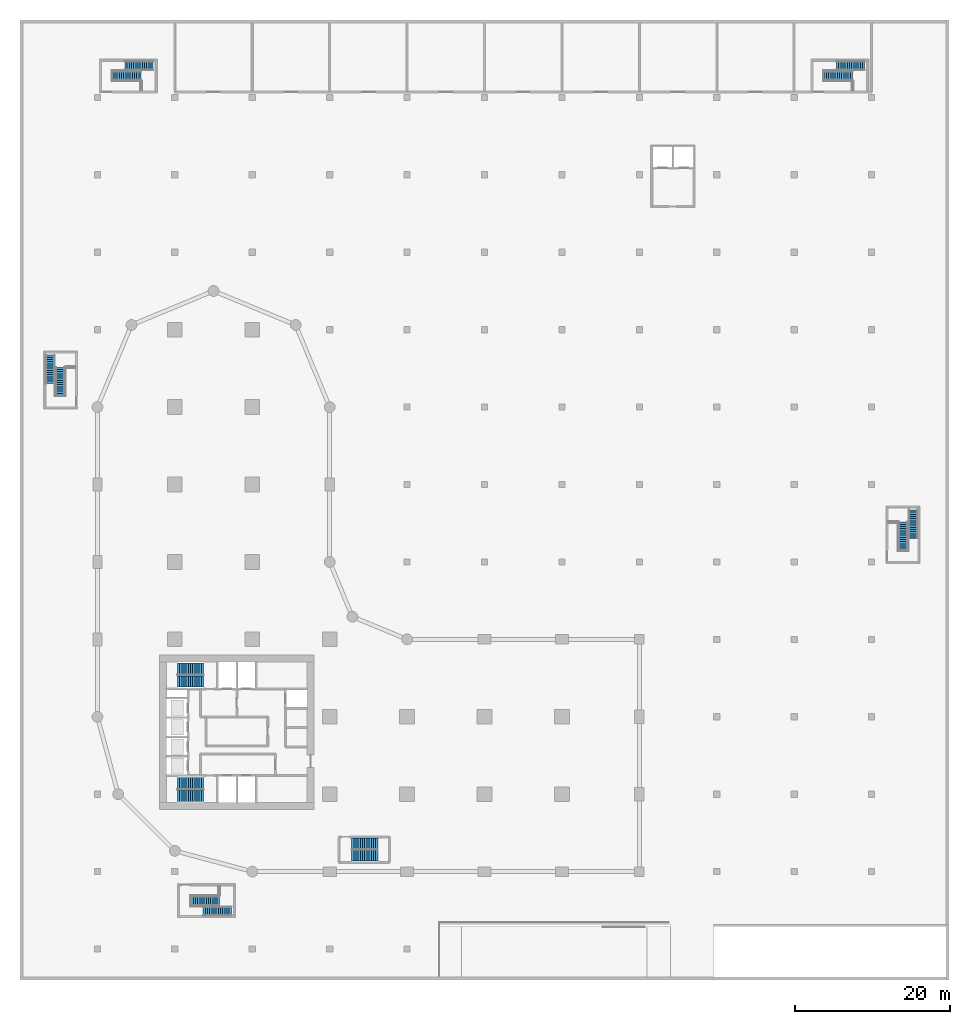
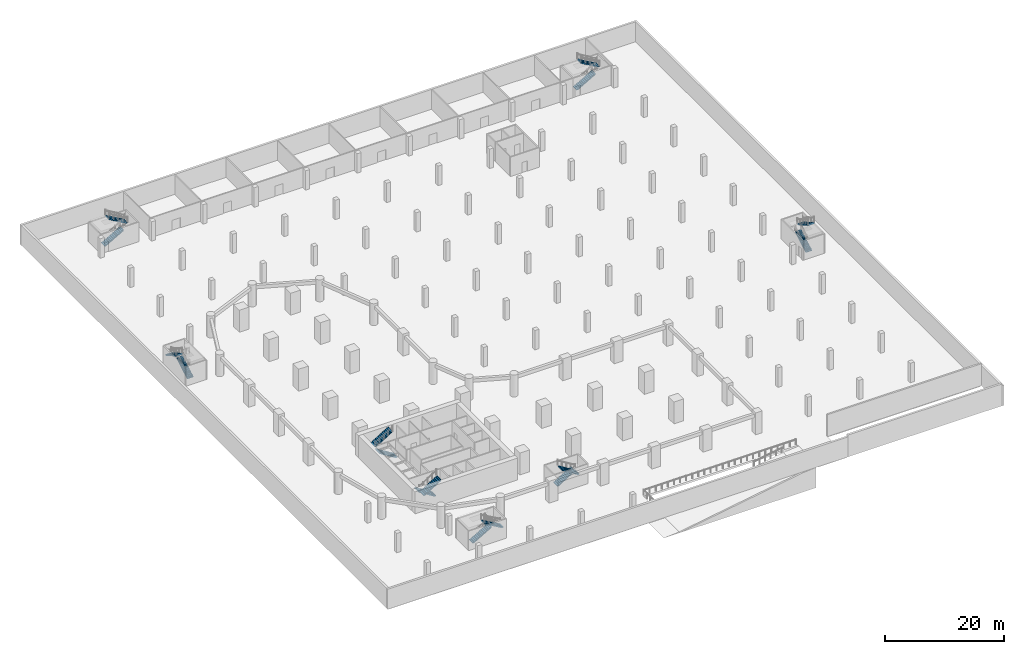
# One storey, part 13 of 19: 16 stair flights, 8 elements without a shape of their own.
"""IFC4 building model written with IfcOpenShell, lengths in metres."""

from ifc_helpers import new_model, si_unit, direction, frame, origin, place, context, subcontext, project, spatial, polyline, outline, extrude, material, layer, layer_set, type_object, element, aggregate, save


model = new_model("IFC4")

# Units and contexts
model_context = context("Model", 3, precision=1e-05, world=origin(), true_north=direction((0.0, 1.0)))
body_context = subcontext(model_context, "Body", "Model", "MODEL_VIEW")
ifc_project = project(units=[si_unit("LENGTHUNIT", "METRE"), si_unit("AREAUNIT", "SQUARE_METRE"), si_unit("VOLUMEUNIT", "CUBIC_METRE"), si_unit("PLANEANGLEUNIT", "RADIAN"), si_unit("MASSUNIT", "GRAM", prefix="KILO")], contexts=[model_context])

# Site, building, storey
site_placement = place(None, origin())
site = spatial("IfcSite", under=ifc_project, at=site_placement, CompositionType="ELEMENT")
building_placement = place(site_placement, origin())
building = spatial("IfcBuilding", under=site, at=building_placement, Name="Qaws Garden Tower", CompositionType="ELEMENT")
storey_placement = place(building_placement, frame((0.0, 0.0, -4.5)))
storey = spatial("IfcBuildingStorey", under=building, at=storey_placement, Name="B1", CompositionType="ELEMENT", Elevation=-4.5)

# Stair, stair flights
ifc_material_1 = material(Name="Concrete C40", Category="concrete")
stair_type_1 = type_object("IfcStairType", Name="Exit stair 1350", PredefinedType="HALF_TURN_STAIR", material=ifc_material_1)
placement = place(storey_placement, origin())
stair_1 = element("IfcStair", 1, at=placement, inside=storey, type_object=stair_type_1, Name="Stair 5", PredefinedType="HALF_TURN_STAIR")
ifc_material_2 = material(Name="Concrete C40", Category="concrete")
stair_flight_type_1 = type_object("IfcStairFlightType", Name="Stair flight 1350", PredefinedType="STRAIGHT", material=ifc_material_2)
stair_flight_1_placement = place(storey_placement, frame((32.85009765625, 3.625, 0.0), z_axis=(0.0, 0.0, 1.0), x_axis=(1.0, 0.0, 0.0)))
stair_flight_1 = element("IfcStairFlight", 2, at=stair_flight_1_placement, type_object=stair_flight_type_1, Name="ST5 flight 1", NumberOfRisers=13, NumberOfTreads=12, PredefinedType="STRAIGHT", RiserHeight=0.173076923, TreadLength=0.28, context=body_context, shape_type="SweptSolid", body=[
    extrude(outline(polyline([(-0.0029296875, 0.0), (-0.0029296875, 0.173095703125), (0.0, 0.173095703125), (0.280029296875, 0.173095703125), (0.280029296875, 0.34619140625), (0.56005859375, 0.34619140625), (0.56005859375, 0.519287109375), (0.840087890625, 0.519287109375), (0.840087890625, 0.6923828125), (1.1201171875, 0.6923828125), (1.1201171875, 0.865478515625), (1.39990234375, 0.865478515625), (1.39990234375, 1.03857421875), (1.679931640625, 1.03857421875), (1.679931640625, 1.21142578125), (1.9599609375, 1.21142578125), (1.9599609375, 1.384521484375), (2.239990234375, 1.384521484375), (2.239990234375, 1.5576171875), (2.52001953125, 1.5576171875), (2.52001953125, 1.730712890625), (2.800048828125, 1.730712890625), (2.800048828125, 1.90380859375), (3.080078125, 1.90380859375), (3.080078125, 2.076904296875), (3.360107421875, 2.076904296875), (3.360107421875, 2.25), (3.363037109375, 2.25), (3.363037109375, 1.900634765625), (3.360107421875, 1.900634765625), (0.28515625, 0.0), (-0.0029296875, 0.0)])), frame((0.0, 0.68994140625, 0.0), z_axis=(0.0, -1.0, 0.0), x_axis=(1.0, 0.0, 0.0)), (0.0, 0.0, 1.0), 1.3798828125),
])
stair_flight_2_placement = place(storey_placement, frame((36.2099609375, 2.074951171875, 2.25), z_axis=(0.0, 0.0, 1.0), x_axis=(-1.0, 0.0, 0.0)))
stair_flight_2 = element("IfcStairFlight", 3, at=stair_flight_2_placement, type_object=stair_flight_type_1, Name="ST5 flight 2", NumberOfRisers=13, NumberOfTreads=12, PredefinedType="STRAIGHT", RiserHeight=0.173076923, TreadLength=0.28, context=body_context, shape_type="SweptSolid", body=[
    extrude(outline(polyline([(-0.0029296875, 0.0), (-0.0029296875, 0.173095703125), (0.0, 0.173095703125), (0.280029296875, 0.173095703125), (0.280029296875, 0.34619140625), (0.56005859375, 0.34619140625), (0.56005859375, 0.519287109375), (0.840087890625, 0.519287109375), (0.840087890625, 0.6923828125), (1.1201171875, 0.6923828125), (1.1201171875, 0.865478515625), (1.39990234375, 0.865478515625), (1.39990234375, 1.03857421875), (1.679931640625, 1.03857421875), (1.679931640625, 1.21142578125), (1.9599609375, 1.21142578125), (1.9599609375, 1.384521484375), (2.239990234375, 1.384521484375), (2.239990234375, 1.5576171875), (2.52001953125, 1.5576171875), (2.52001953125, 1.730712890625), (2.800048828125, 1.730712890625), (2.800048828125, 1.90380859375), (3.080078125, 1.90380859375), (3.080078125, 2.076904296875), (3.360107421875, 2.076904296875), (3.360107421875, 2.25), (3.363037109375, 2.25), (3.363037109375, 1.900634765625), (3.360107421875, 1.900634765625), (0.28515625, 0.0), (-0.0029296875, 0.0)])), frame((0.0, 0.68994140625, 0.0), z_axis=(0.0, -1.0, 0.0), x_axis=(1.0, 0.0, 0.0)), (0.0, 0.0, 1.0), 1.3798828125),
])
aggregate(stair_1, [stair_flight_1, stair_flight_2])

ifc_material_3 = material(Name="Concrete C40", Category="concrete")
stair_type_2 = type_object("IfcStairType", Name="Exit stair 1500", PredefinedType="HALF_TURN_STAIR", material=ifc_material_3)
stair_2 = element("IfcStair", 4, at=placement, inside=storey, type_object=stair_type_2, Name="Stair 1", PredefinedType="HALF_TURN_STAIR")
ifc_material_4 = material(Name="Concrete C40", Category="concrete")
stair_flight_type_2 = type_object("IfcStairFlightType", Name="Stair flight 1500", PredefinedType="STRAIGHT", material=ifc_material_4)
stair_flight_3_placement = place(storey_placement, frame((13.699951171875, 11.449951171875, 0.0), z_axis=(0.0, 0.0, 1.0), x_axis=(-1.0, 0.0, 0.0)))
stair_flight_3 = element("IfcStairFlight", 5, at=stair_flight_3_placement, type_object=stair_flight_type_2, Name="ST1 flight 1", NumberOfRisers=13, NumberOfTreads=12, PredefinedType="STRAIGHT", RiserHeight=0.173076923, TreadLength=0.28, context=body_context, shape_type="SweptSolid", body=[
    extrude(outline(polyline([(-0.0029296875, 0.0), (-0.0029296875, 0.173095703125), (0.0, 0.173095703125), (0.280029296875, 0.173095703125), (0.280029296875, 0.34619140625), (0.56005859375, 0.34619140625), (0.56005859375, 0.519287109375), (0.840087890625, 0.519287109375), (0.840087890625, 0.6923828125), (1.1201171875, 0.6923828125), (1.1201171875, 0.865478515625), (1.39990234375, 0.865478515625), (1.39990234375, 1.03857421875), (1.679931640625, 1.03857421875), (1.679931640625, 1.21142578125), (1.9599609375, 1.21142578125), (1.9599609375, 1.384521484375), (2.239990234375, 1.384521484375), (2.239990234375, 1.5576171875), (2.52001953125, 1.5576171875), (2.52001953125, 1.730712890625), (2.800048828125, 1.730712890625), (2.800048828125, 1.90380859375), (3.080078125, 1.90380859375), (3.080078125, 2.076904296875), (3.360107421875, 2.076904296875), (3.360107421875, 2.25), (3.363037109375, 2.25), (3.363037109375, 1.900634765625), (3.360107421875, 1.900634765625), (0.28515625, 0.0), (-0.0029296875, 0.0)])), frame((0.0, 0.71484375, 0.0), z_axis=(0.0, -1.0, 0.0), x_axis=(1.0, 0.0, 0.0)), (0.0, 0.0, 1.0), 1.429931640625),
])
stair_flight_4_placement = place(storey_placement, frame((10.340087890625, 9.75, 2.25), z_axis=(0.0, 0.0, 1.0), x_axis=(1.0, 0.0, 0.0)))
stair_flight_4 = element("IfcStairFlight", 6, at=stair_flight_4_placement, type_object=stair_flight_type_2, Name="ST1 flight 2", NumberOfRisers=13, NumberOfTreads=12, PredefinedType="STRAIGHT", RiserHeight=0.173076923, TreadLength=0.28, context=body_context, shape_type="SweptSolid", body=[
    extrude(outline(polyline([(-0.0029296875, 0.0), (-0.0029296875, 0.173095703125), (0.0, 0.173095703125), (0.280029296875, 0.173095703125), (0.280029296875, 0.34619140625), (0.56005859375, 0.34619140625), (0.56005859375, 0.519287109375), (0.840087890625, 0.519287109375), (0.840087890625, 0.6923828125), (1.1201171875, 0.6923828125), (1.1201171875, 0.865478515625), (1.39990234375, 0.865478515625), (1.39990234375, 1.03857421875), (1.679931640625, 1.03857421875), (1.679931640625, 1.21142578125), (1.9599609375, 1.21142578125), (1.9599609375, 1.384521484375), (2.239990234375, 1.384521484375), (2.239990234375, 1.5576171875), (2.52001953125, 1.5576171875), (2.52001953125, 1.730712890625), (2.800048828125, 1.730712890625), (2.800048828125, 1.90380859375), (3.080078125, 1.90380859375), (3.080078125, 2.076904296875), (3.360107421875, 2.076904296875), (3.360107421875, 2.25), (3.363037109375, 2.25), (3.363037109375, 1.900634765625), (3.360107421875, 1.900634765625), (0.28515625, 0.0), (-0.0029296875, 0.0)])), frame((0.0, 0.71484375, 0.0), z_axis=(0.0, -1.0, 0.0), x_axis=(1.0, 0.0, 0.0)), (0.0, 0.0, 1.0), 1.429931640625),
])
aggregate(stair_2, [stair_flight_3, stair_flight_4])

stair_3 = element("IfcStair", 7, at=placement, inside=storey, type_object=stair_type_2, Name="Stair 4", PredefinedType="HALF_TURN_STAIR")
stair_flight_5_placement = place(storey_placement, frame((13.699951171875, 24.550048828125, 0.0), z_axis=(0.0, 0.0, 1.0), x_axis=(-1.0, 0.0, 0.0)))
stair_flight_5 = element("IfcStairFlight", 8, at=stair_flight_5_placement, type_object=stair_flight_type_2, Name="ST4 flight 1", NumberOfRisers=13, NumberOfTreads=12, PredefinedType="STRAIGHT", RiserHeight=0.173076923, TreadLength=0.28, context=body_context, shape_type="SweptSolid", body=[
    extrude(outline(polyline([(-0.0029296875, 0.0), (-0.0029296875, 0.173095703125), (0.0, 0.173095703125), (0.280029296875, 0.173095703125), (0.280029296875, 0.34619140625), (0.56005859375, 0.34619140625), (0.56005859375, 0.519287109375), (0.840087890625, 0.519287109375), (0.840087890625, 0.6923828125), (1.1201171875, 0.6923828125), (1.1201171875, 0.865478515625), (1.39990234375, 0.865478515625), (1.39990234375, 1.03857421875), (1.679931640625, 1.03857421875), (1.679931640625, 1.21142578125), (1.9599609375, 1.21142578125), (1.9599609375, 1.384521484375), (2.239990234375, 1.384521484375), (2.239990234375, 1.5576171875), (2.52001953125, 1.5576171875), (2.52001953125, 1.730712890625), (2.800048828125, 1.730712890625), (2.800048828125, 1.90380859375), (3.080078125, 1.90380859375), (3.080078125, 2.076904296875), (3.360107421875, 2.076904296875), (3.360107421875, 2.25), (3.363037109375, 2.25), (3.363037109375, 1.900634765625), (3.360107421875, 1.900634765625), (0.28515625, 0.0), (-0.0029296875, 0.0)])), frame((0.0, 0.719970703125, 0.0), z_axis=(0.0, -1.0, 0.0), x_axis=(1.0, 0.0, 0.0)), (0.0, 0.0, 1.0), 1.43994140625),
])
stair_flight_6_placement = place(storey_placement, frame((10.340087890625, 26.25, 2.25), z_axis=(0.0, 0.0, 1.0), x_axis=(1.0, 0.0, 0.0)))
stair_flight_6 = element("IfcStairFlight", 9, at=stair_flight_6_placement, type_object=stair_flight_type_2, Name="ST4 flight 2", NumberOfRisers=13, NumberOfTreads=12, PredefinedType="STRAIGHT", RiserHeight=0.173076923, TreadLength=0.28, context=body_context, shape_type="SweptSolid", body=[
    extrude(outline(polyline([(-0.0029296875, 0.0), (-0.0029296875, 0.173095703125), (0.0, 0.173095703125), (0.280029296875, 0.173095703125), (0.280029296875, 0.34619140625), (0.56005859375, 0.34619140625), (0.56005859375, 0.519287109375), (0.840087890625, 0.519287109375), (0.840087890625, 0.6923828125), (1.1201171875, 0.6923828125), (1.1201171875, 0.865478515625), (1.39990234375, 0.865478515625), (1.39990234375, 1.03857421875), (1.679931640625, 1.03857421875), (1.679931640625, 1.21142578125), (1.9599609375, 1.21142578125), (1.9599609375, 1.384521484375), (2.239990234375, 1.384521484375), (2.239990234375, 1.5576171875), (2.52001953125, 1.5576171875), (2.52001953125, 1.730712890625), (2.800048828125, 1.730712890625), (2.800048828125, 1.90380859375), (3.080078125, 1.90380859375), (3.080078125, 2.076904296875), (3.360107421875, 2.076904296875), (3.360107421875, 2.25), (3.363037109375, 2.25), (3.363037109375, 1.900634765625), (3.360107421875, 1.900634765625), (0.28515625, 0.0), (-0.0029296875, 0.0)])), frame((0.0, 0.719970703125, 0.0), z_axis=(0.0, -1.0, 0.0), x_axis=(1.0, 0.0, 0.0)), (0.0, 0.0, 1.0), 1.43994140625),
])
aggregate(stair_3, [stair_flight_5, stair_flight_6])

ifc_material_5 = material(Name="Concrete C40", Category="concrete")
stair_type_3 = type_object("IfcStairType", Name="Basement exit stair 1200", PredefinedType="HALF_TURN_STAIR", material=ifc_material_5)
stair_4 = element("IfcStair", 10, at=placement, inside=storey, type_object=stair_type_3, Name="Exit stair N1 B1 to L00", PredefinedType="HALF_TURN_STAIR")
ifc_material_6 = material(Name="Concrete C40", Category="concrete")
ifc_layer = layer(ifc_material_6, 0.14990234375)
ifc_layer_set = layer_set([ifc_layer], Name="Concrete C40")
stair_flight_type_3 = type_object("IfcStairFlightType", Name="Stair flight concrete", PredefinedType="STRAIGHT", material=ifc_layer_set)
stair_flight_7_placement = place(storey_placement, frame((2.0, 102.800048828125, 0.0), z_axis=(0.0, 0.0, 1.0), x_axis=(1.0, 0.0, 0.0)))
stair_flight_7 = element("IfcStairFlight", 11, at=stair_flight_7_placement, type_object=stair_flight_type_3, Name="PST2 flight 1", NumberOfRisers=14, NumberOfTreads=13, PredefinedType="STRAIGHT", RiserHeight=0.160714286, TreadLength=0.28, context=body_context, shape_type="SweptSolid", body=[
    extrude(outline(polyline([(-0.0029296875, 0.0), (-0.0029296875, 0.16064453125), (0.0, 0.16064453125), (0.280029296875, 0.16064453125), (0.280029296875, 0.321533203125), (0.56005859375, 0.321533203125), (0.56005859375, 0.482177734375), (0.840087890625, 0.482177734375), (0.840087890625, 0.642822265625), (1.1201171875, 0.642822265625), (1.1201171875, 0.803466796875), (1.39990234375, 0.803466796875), (1.39990234375, 0.96435546875), (1.679931640625, 0.96435546875), (1.679931640625, 1.125), (1.9599609375, 1.125), (1.9599609375, 1.28564453125), (2.239990234375, 1.28564453125), (2.239990234375, 1.446533203125), (2.52001953125, 1.446533203125), (2.52001953125, 1.607177734375), (2.800048828125, 1.607177734375), (2.800048828125, 1.767822265625), (3.080078125, 1.767822265625), (3.080078125, 1.928466796875), (3.360107421875, 1.928466796875), (3.360107421875, 2.08935546875), (3.639892578125, 2.08935546875), (3.639892578125, 2.25), (3.64306640625, 2.25), (3.64306640625, 1.91650390625), (3.639892578125, 1.91650390625), (0.301025390625, 0.0), (-0.0029296875, 0.0)])), frame((0.0, 0.60009765625, 0.0), z_axis=(0.0, -1.0, 0.0), x_axis=(1.0, 0.0, 0.0)), (0.0, 0.0, 1.0), 1.199951171875),
])
stair_flight_8_placement = place(storey_placement, frame((7.199951171875, 104.10009765625, 2.25), z_axis=(0.0, 0.0, 1.0), x_axis=(-1.0, 0.0, 0.0)))
stair_flight_8 = element("IfcStairFlight", 12, at=stair_flight_8_placement, type_object=stair_flight_type_3, Name="PST2 flight 2", NumberOfRisers=14, NumberOfTreads=13, PredefinedType="STRAIGHT", RiserHeight=0.160714286, TreadLength=0.28, context=body_context, shape_type="SweptSolid", body=[
    extrude(outline(polyline([(-0.0029296875, 0.0), (-0.0029296875, 0.16064453125), (0.0, 0.16064453125), (0.280029296875, 0.16064453125), (0.280029296875, 0.321533203125), (0.56005859375, 0.321533203125), (0.56005859375, 0.482177734375), (0.840087890625, 0.482177734375), (0.840087890625, 0.642822265625), (1.1201171875, 0.642822265625), (1.1201171875, 0.803466796875), (1.39990234375, 0.803466796875), (1.39990234375, 0.96435546875), (1.679931640625, 0.96435546875), (1.679931640625, 1.125), (1.9599609375, 1.125), (1.9599609375, 1.28564453125), (2.239990234375, 1.28564453125), (2.239990234375, 1.446533203125), (2.52001953125, 1.446533203125), (2.52001953125, 1.607177734375), (2.800048828125, 1.607177734375), (2.800048828125, 1.767822265625), (3.080078125, 1.767822265625), (3.080078125, 1.928466796875), (3.360107421875, 1.928466796875), (3.360107421875, 2.08935546875), (3.639892578125, 2.08935546875), (3.639892578125, 2.25), (3.64306640625, 2.25), (3.64306640625, 1.91650390625), (3.639892578125, 1.91650390625), (0.301025390625, 0.0), (-0.0029296875, 0.0)])), frame((0.0, 0.60009765625, 0.0), z_axis=(0.0, -1.0, 0.0), x_axis=(1.0, 0.0, 0.0)), (0.0, 0.0, 1.0), 1.199951171875),
])
aggregate(stair_4, [stair_flight_7, stair_flight_8])

stair_5 = element("IfcStair", 13, at=placement, inside=storey, type_object=stair_type_3, Name="Exit stair N2 B1 to L00", PredefinedType="HALF_TURN_STAIR")
stair_flight_9_placement = place(storey_placement, frame((93.89990234375, 102.800048828125, 0.0), z_axis=(0.0, 0.0, 1.0), x_axis=(1.0, 0.0, 0.0)))
stair_flight_9 = element("IfcStairFlight", 14, at=stair_flight_9_placement, type_object=stair_flight_type_3, Name="PST2 flight 1", NumberOfRisers=14, NumberOfTreads=13, PredefinedType="STRAIGHT", RiserHeight=0.160714286, TreadLength=0.28, context=body_context, shape_type="SweptSolid", body=[
    extrude(outline(polyline([(-0.0029296875, 0.0), (-0.0029296875, 0.16064453125), (0.0, 0.16064453125), (0.280029296875, 0.16064453125), (0.280029296875, 0.321533203125), (0.56005859375, 0.321533203125), (0.56005859375, 0.482177734375), (0.840087890625, 0.482177734375), (0.840087890625, 0.642822265625), (1.1201171875, 0.642822265625), (1.1201171875, 0.803466796875), (1.39990234375, 0.803466796875), (1.39990234375, 0.96435546875), (1.679931640625, 0.96435546875), (1.679931640625, 1.125), (1.9599609375, 1.125), (1.9599609375, 1.28564453125), (2.239990234375, 1.28564453125), (2.239990234375, 1.446533203125), (2.52001953125, 1.446533203125), (2.52001953125, 1.607177734375), (2.800048828125, 1.607177734375), (2.800048828125, 1.767822265625), (3.080078125, 1.767822265625), (3.080078125, 1.928466796875), (3.360107421875, 1.928466796875), (3.360107421875, 2.08935546875), (3.639892578125, 2.08935546875), (3.639892578125, 2.25), (3.64306640625, 2.25), (3.64306640625, 1.91650390625), (3.639892578125, 1.91650390625), (0.301025390625, 0.0), (-0.0029296875, 0.0)])), frame((0.0, 0.60009765625, 0.0), z_axis=(0.0, -1.0, 0.0), x_axis=(1.0, 0.0, 0.0)), (0.0, 0.0, 1.0), 1.199951171875),
])
stair_flight_10_placement = place(storey_placement, frame((99.10009765625, 104.10009765625, 2.25), z_axis=(0.0, 0.0, 1.0), x_axis=(-1.0, 0.0, 0.0)))
stair_flight_10 = element("IfcStairFlight", 15, at=stair_flight_10_placement, type_object=stair_flight_type_3, Name="PST2 flight 2", NumberOfRisers=14, NumberOfTreads=13, PredefinedType="STRAIGHT", RiserHeight=0.160714286, TreadLength=0.28, context=body_context, shape_type="SweptSolid", body=[
    extrude(outline(polyline([(-0.0029296875, 0.0), (-0.0029296875, 0.16064453125), (0.0, 0.16064453125), (0.280029296875, 0.16064453125), (0.280029296875, 0.321533203125), (0.56005859375, 0.321533203125), (0.56005859375, 0.482177734375), (0.840087890625, 0.482177734375), (0.840087890625, 0.642822265625), (1.1201171875, 0.642822265625), (1.1201171875, 0.803466796875), (1.39990234375, 0.803466796875), (1.39990234375, 0.96435546875), (1.679931640625, 0.96435546875), (1.679931640625, 1.125), (1.9599609375, 1.125), (1.9599609375, 1.28564453125), (2.239990234375, 1.28564453125), (2.239990234375, 1.446533203125), (2.52001953125, 1.446533203125), (2.52001953125, 1.607177734375), (2.800048828125, 1.607177734375), (2.800048828125, 1.767822265625), (3.080078125, 1.767822265625), (3.080078125, 1.928466796875), (3.360107421875, 1.928466796875), (3.360107421875, 2.08935546875), (3.639892578125, 2.08935546875), (3.639892578125, 2.25), (3.64306640625, 2.25), (3.64306640625, 1.91650390625), (3.639892578125, 1.91650390625), (0.301025390625, 0.0), (-0.0029296875, 0.0)])), frame((0.0, 0.60009765625, 0.0), z_axis=(0.0, -1.0, 0.0), x_axis=(1.0, 0.0, 0.0)), (0.0, 0.0, 1.0), 1.199951171875),
])
aggregate(stair_5, [stair_flight_9, stair_flight_10])

stair_6 = element("IfcStair", 16, at=placement, inside=storey, type_object=stair_type_3, Name="Exit stair E1 B1 to L00", PredefinedType="HALF_TURN_STAIR")
stair_flight_11_placement = place(storey_placement, frame((104.10009765625, 41.5, 0.0), z_axis=(0.0, 0.0, 1.0), x_axis=(0.0, 1.0, 0.0)))
stair_flight_11 = element("IfcStairFlight", 17, at=stair_flight_11_placement, type_object=stair_flight_type_3, Name="PST2 flight 1", NumberOfRisers=14, NumberOfTreads=13, PredefinedType="STRAIGHT", RiserHeight=0.160714286, TreadLength=0.28, context=body_context, shape_type="SweptSolid", body=[
    extrude(outline(polyline([(-0.0029296875, 0.0), (-0.0029296875, 0.16064453125), (0.0, 0.16064453125), (0.280029296875, 0.16064453125), (0.280029296875, 0.321533203125), (0.56005859375, 0.321533203125), (0.56005859375, 0.482177734375), (0.840087890625, 0.482177734375), (0.840087890625, 0.642822265625), (1.1201171875, 0.642822265625), (1.1201171875, 0.803466796875), (1.39990234375, 0.803466796875), (1.39990234375, 0.96435546875), (1.679931640625, 0.96435546875), (1.679931640625, 1.125), (1.9599609375, 1.125), (1.9599609375, 1.28564453125), (2.239990234375, 1.28564453125), (2.239990234375, 1.446533203125), (2.52001953125, 1.446533203125), (2.52001953125, 1.607177734375), (2.800048828125, 1.607177734375), (2.800048828125, 1.767822265625), (3.080078125, 1.767822265625), (3.080078125, 1.928466796875), (3.360107421875, 1.928466796875), (3.360107421875, 2.08935546875), (3.639892578125, 2.08935546875), (3.639892578125, 2.25), (3.64306640625, 2.25), (3.64306640625, 1.91650390625), (3.639892578125, 1.91650390625), (0.301025390625, 0.0), (-0.0029296875, 0.0)])), frame((0.0, 0.60009765625, 0.0), z_axis=(0.0, -1.0, 0.0), x_axis=(1.0, 0.0, 0.0)), (0.0, 0.0, 1.0), 1.199951171875),
])
stair_flight_12_placement = place(storey_placement, frame((105.39990234375, 46.699951171875, 2.25), z_axis=(0.0, 0.0, 1.0), x_axis=(0.0, -1.0, 0.0)))
stair_flight_12 = element("IfcStairFlight", 18, at=stair_flight_12_placement, type_object=stair_flight_type_3, Name="PST2 flight 2", NumberOfRisers=14, NumberOfTreads=13, PredefinedType="STRAIGHT", RiserHeight=0.160714286, TreadLength=0.28, context=body_context, shape_type="SweptSolid", body=[
    extrude(outline(polyline([(-0.0029296875, 0.0), (-0.0029296875, 0.16064453125), (0.0, 0.16064453125), (0.280029296875, 0.16064453125), (0.280029296875, 0.321533203125), (0.56005859375, 0.321533203125), (0.56005859375, 0.482177734375), (0.840087890625, 0.482177734375), (0.840087890625, 0.642822265625), (1.1201171875, 0.642822265625), (1.1201171875, 0.803466796875), (1.39990234375, 0.803466796875), (1.39990234375, 0.96435546875), (1.679931640625, 0.96435546875), (1.679931640625, 1.125), (1.9599609375, 1.125), (1.9599609375, 1.28564453125), (2.239990234375, 1.28564453125), (2.239990234375, 1.446533203125), (2.52001953125, 1.446533203125), (2.52001953125, 1.607177734375), (2.800048828125, 1.607177734375), (2.800048828125, 1.767822265625), (3.080078125, 1.767822265625), (3.080078125, 1.928466796875), (3.360107421875, 1.928466796875), (3.360107421875, 2.08935546875), (3.639892578125, 2.08935546875), (3.639892578125, 2.25), (3.64306640625, 2.25), (3.64306640625, 1.91650390625), (3.639892578125, 1.91650390625), (0.301025390625, 0.0), (-0.0029296875, 0.0)])), frame((0.0, 0.60009765625, 0.0), z_axis=(0.0, -1.0, 0.0), x_axis=(1.0, 0.0, 0.0)), (0.0, 0.0, 1.0), 1.199951171875),
])
aggregate(stair_6, [stair_flight_11, stair_flight_12])

stair_7 = element("IfcStair", 19, at=placement, inside=storey, type_object=stair_type_3, Name="Exit stair W1 B1 to L00", PredefinedType="HALF_TURN_STAIR")
stair_flight_13_placement = place(storey_placement, frame((-4.800048828125, 61.5, 0.0), z_axis=(0.0, 0.0, 1.0), x_axis=(0.0, 1.0, 0.0)))
stair_flight_13 = element("IfcStairFlight", 20, at=stair_flight_13_placement, type_object=stair_flight_type_3, Name="PST2 flight 1", NumberOfRisers=14, NumberOfTreads=13, PredefinedType="STRAIGHT", RiserHeight=0.160714286, TreadLength=0.28, context=body_context, shape_type="SweptSolid", body=[
    extrude(outline(polyline([(-0.0029296875, 0.0), (-0.0029296875, 0.16064453125), (0.0, 0.16064453125), (0.280029296875, 0.16064453125), (0.280029296875, 0.321533203125), (0.56005859375, 0.321533203125), (0.56005859375, 0.482177734375), (0.840087890625, 0.482177734375), (0.840087890625, 0.642822265625), (1.1201171875, 0.642822265625), (1.1201171875, 0.803466796875), (1.39990234375, 0.803466796875), (1.39990234375, 0.96435546875), (1.679931640625, 0.96435546875), (1.679931640625, 1.125), (1.9599609375, 1.125), (1.9599609375, 1.28564453125), (2.239990234375, 1.28564453125), (2.239990234375, 1.446533203125), (2.52001953125, 1.446533203125), (2.52001953125, 1.607177734375), (2.800048828125, 1.607177734375), (2.800048828125, 1.767822265625), (3.080078125, 1.767822265625), (3.080078125, 1.928466796875), (3.360107421875, 1.928466796875), (3.360107421875, 2.08935546875), (3.639892578125, 2.08935546875), (3.639892578125, 2.25), (3.64306640625, 2.25), (3.64306640625, 1.91650390625), (3.639892578125, 1.91650390625), (0.301025390625, 0.0), (-0.0029296875, 0.0)])), frame((0.0, 0.60009765625, 0.0), z_axis=(0.0, -1.0, 0.0), x_axis=(1.0, 0.0, 0.0)), (0.0, 0.0, 1.0), 1.199951171875),
])
stair_flight_14_placement = place(storey_placement, frame((-6.10009765625, 66.699951171875, 2.25), z_axis=(0.0, 0.0, 1.0), x_axis=(0.0, -1.0, 0.0)))
stair_flight_14 = element("IfcStairFlight", 21, at=stair_flight_14_placement, type_object=stair_flight_type_3, Name="PST2 flight 2", NumberOfRisers=14, NumberOfTreads=13, PredefinedType="STRAIGHT", RiserHeight=0.160714286, TreadLength=0.28, context=body_context, shape_type="SweptSolid", body=[
    extrude(outline(polyline([(-0.0029296875, 0.0), (-0.0029296875, 0.16064453125), (0.0, 0.16064453125), (0.280029296875, 0.16064453125), (0.280029296875, 0.321533203125), (0.56005859375, 0.321533203125), (0.56005859375, 0.482177734375), (0.840087890625, 0.482177734375), (0.840087890625, 0.642822265625), (1.1201171875, 0.642822265625), (1.1201171875, 0.803466796875), (1.39990234375, 0.803466796875), (1.39990234375, 0.96435546875), (1.679931640625, 0.96435546875), (1.679931640625, 1.125), (1.9599609375, 1.125), (1.9599609375, 1.28564453125), (2.239990234375, 1.28564453125), (2.239990234375, 1.446533203125), (2.52001953125, 1.446533203125), (2.52001953125, 1.607177734375), (2.800048828125, 1.607177734375), (2.800048828125, 1.767822265625), (3.080078125, 1.767822265625), (3.080078125, 1.928466796875), (3.360107421875, 1.928466796875), (3.360107421875, 2.08935546875), (3.639892578125, 2.08935546875), (3.639892578125, 2.25), (3.64306640625, 2.25), (3.64306640625, 1.91650390625), (3.639892578125, 1.91650390625), (0.301025390625, 0.0), (-0.0029296875, 0.0)])), frame((0.0, 0.60009765625, 0.0), z_axis=(0.0, -1.0, 0.0), x_axis=(1.0, 0.0, 0.0)), (0.0, 0.0, 1.0), 1.199951171875),
])
aggregate(stair_7, [stair_flight_13, stair_flight_14])

stair_8 = element("IfcStair", 22, at=placement, inside=storey, type_object=stair_type_3, Name="Exit stair S1 B1 to L00", PredefinedType="HALF_TURN_STAIR")
stair_flight_15_placement = place(storey_placement, frame((12.10009765625, -3.800048828125, 0.0), z_axis=(0.0, 0.0, 1.0), x_axis=(1.0, 0.0, 0.0)))
stair_flight_15 = element("IfcStairFlight", 23, at=stair_flight_15_placement, type_object=stair_flight_type_3, Name="PST2 flight 1", NumberOfRisers=14, NumberOfTreads=13, PredefinedType="STRAIGHT", RiserHeight=0.160714286, TreadLength=0.28, context=body_context, shape_type="SweptSolid", body=[
    extrude(outline(polyline([(-0.0029296875, 0.0), (-0.0029296875, 0.16064453125), (0.0, 0.16064453125), (0.280029296875, 0.16064453125), (0.280029296875, 0.321533203125), (0.56005859375, 0.321533203125), (0.56005859375, 0.482177734375), (0.840087890625, 0.482177734375), (0.840087890625, 0.642822265625), (1.1201171875, 0.642822265625), (1.1201171875, 0.803466796875), (1.39990234375, 0.803466796875), (1.39990234375, 0.96435546875), (1.679931640625, 0.96435546875), (1.679931640625, 1.125), (1.9599609375, 1.125), (1.9599609375, 1.28564453125), (2.239990234375, 1.28564453125), (2.239990234375, 1.446533203125), (2.52001953125, 1.446533203125), (2.52001953125, 1.607177734375), (2.800048828125, 1.607177734375), (2.800048828125, 1.767822265625), (3.080078125, 1.767822265625), (3.080078125, 1.928466796875), (3.360107421875, 1.928466796875), (3.360107421875, 2.08935546875), (3.639892578125, 2.08935546875), (3.639892578125, 2.25), (3.64306640625, 2.25), (3.64306640625, 1.91650390625), (3.639892578125, 1.91650390625), (0.301025390625, 0.0), (-0.0029296875, 0.0)])), frame((0.0, 0.60009765625, 0.0), z_axis=(0.0, -1.0, 0.0), x_axis=(1.0, 0.0, 0.0)), (0.0, 0.0, 1.0), 1.199951171875),
])
stair_flight_16_placement = place(storey_placement, frame((17.300048828125, -5.10009765625, 2.25), z_axis=(0.0, 0.0, 1.0), x_axis=(-1.0, 0.0, 0.0)))
stair_flight_16 = element("IfcStairFlight", 24, at=stair_flight_16_placement, type_object=stair_flight_type_3, Name="PST2 flight 2", NumberOfRisers=14, NumberOfTreads=13, PredefinedType="STRAIGHT", RiserHeight=0.160714286, TreadLength=0.28, context=body_context, shape_type="SweptSolid", body=[
    extrude(outline(polyline([(-0.0029296875, 0.0), (-0.0029296875, 0.16064453125), (0.0, 0.16064453125), (0.280029296875, 0.16064453125), (0.280029296875, 0.321533203125), (0.56005859375, 0.321533203125), (0.56005859375, 0.482177734375), (0.840087890625, 0.482177734375), (0.840087890625, 0.642822265625), (1.1201171875, 0.642822265625), (1.1201171875, 0.803466796875), (1.39990234375, 0.803466796875), (1.39990234375, 0.96435546875), (1.679931640625, 0.96435546875), (1.679931640625, 1.125), (1.9599609375, 1.125), (1.9599609375, 1.28564453125), (2.239990234375, 1.28564453125), (2.239990234375, 1.446533203125), (2.52001953125, 1.446533203125), (2.52001953125, 1.607177734375), (2.800048828125, 1.607177734375), (2.800048828125, 1.767822265625), (3.080078125, 1.767822265625), (3.080078125, 1.928466796875), (3.360107421875, 1.928466796875), (3.360107421875, 2.08935546875), (3.639892578125, 2.08935546875), (3.639892578125, 2.25), (3.64306640625, 2.25), (3.64306640625, 1.91650390625), (3.639892578125, 1.91650390625), (0.301025390625, 0.0), (-0.0029296875, 0.0)])), frame((0.0, 0.60009765625, 0.0), z_axis=(0.0, -1.0, 0.0), x_axis=(1.0, 0.0, 0.0)), (0.0, 0.0, 1.0), 1.199951171875),
])
aggregate(stair_8, [stair_flight_15, stair_flight_16])

save(model, "model.ifc")
